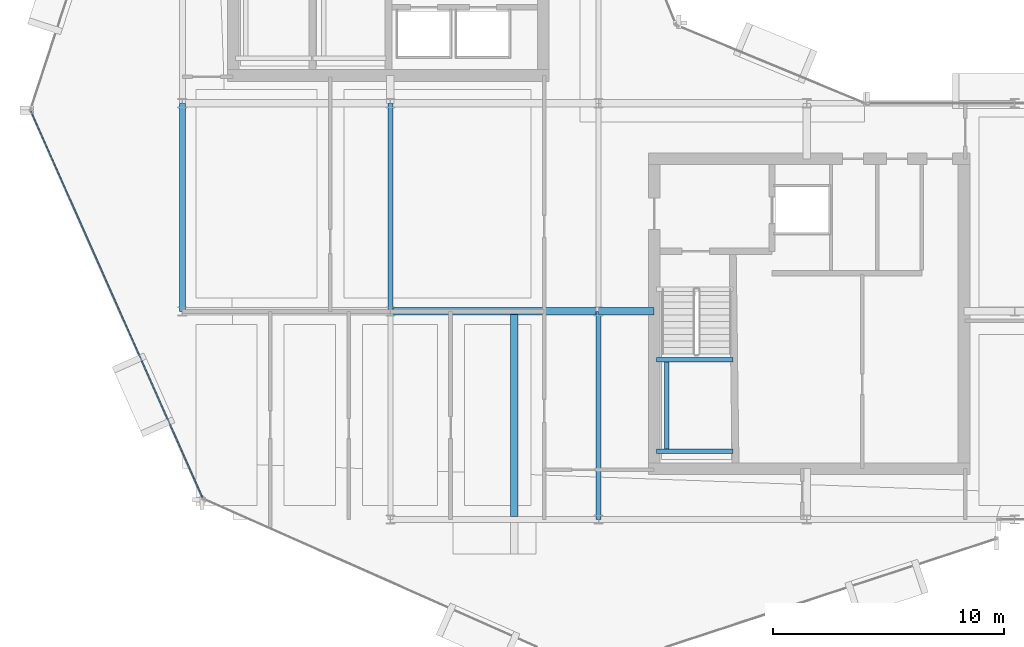
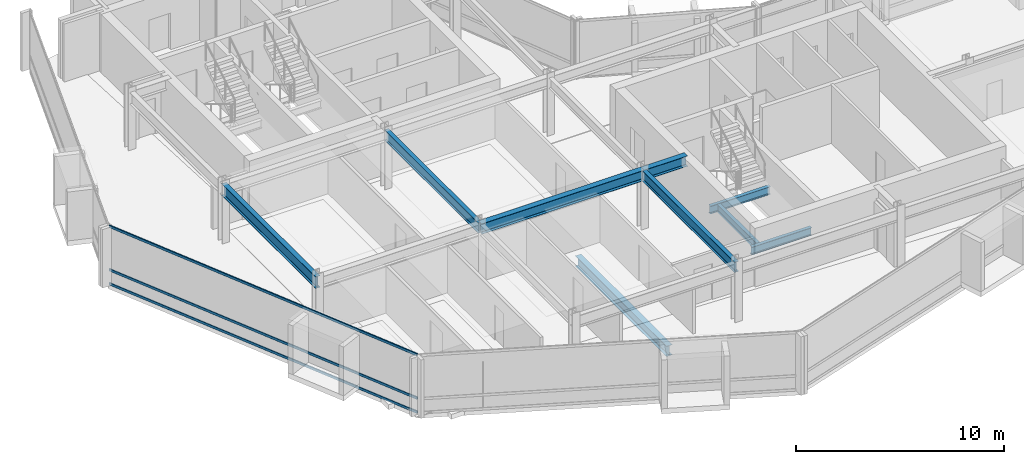
# One storey, part 5 of 27: 9 beams, 3 members, 1 element without a shape of its own.
"""IFC4 building model written with IfcOpenShell, lengths in metres."""

from ifc_helpers import new_model, si_unit, direction, frame, origin, origin_2d, place, context, subcontext, project, spatial, hollow_rectangle, i_section, extrude, material, layer, layer_set, material_profile, profile_set, type_object, element, aggregate, save


model = new_model("IFC4")

# Units and contexts
model_context = context("Model", 3, precision=1e-05, world=origin(), true_north=direction((0.0, 1.0)))
body_context = subcontext(model_context, "Body", "Model", "MODEL_VIEW")
ifc_project = project(units=[si_unit("LENGTHUNIT", "METRE"), si_unit("AREAUNIT", "SQUARE_METRE"), si_unit("VOLUMEUNIT", "CUBIC_METRE"), si_unit("PLANEANGLEUNIT", "RADIAN"), si_unit("MASSUNIT", "GRAM", prefix="KILO")], contexts=[model_context])

# Site, building, storey
site_placement = place(None, origin())
site = spatial("IfcSite", under=ifc_project, at=site_placement, CompositionType="ELEMENT")
building_placement = place(site_placement, origin())
building = spatial("IfcBuilding", under=site, at=building_placement, Name="Solvaryn Broadcast Tower", CompositionType="ELEMENT")
storey_placement = place(building_placement, frame((0.0, 0.0, 221.0)))
storey = spatial("IfcBuildingStorey", under=building, at=storey_placement, Name="L55", CompositionType="ELEMENT", Elevation=221.0)

# Beams
ifc_material_1 = material(Name="Steel ASTM A992 Grade 50", Category="steel")
ifc_material_profile_1 = material_profile(ifc_material_1, i_section(OverallWidth=0.323974609375, OverallDepth=0.611083984375, WebThickness=0.0126953125, FlangeThickness=0.01904296875, FilletRadius=0.014892578125, at=origin_2d()))
ifc_profile_set_1 = profile_set([ifc_material_profile_1], Name="Steel ASTM A992 Grade 50")
beam_type_1 = type_object("IfcBeamType", Name="BM-B1-W24X104", PredefinedType="BEAM", material=ifc_profile_set_1)
beam_1_placement = place(storey_placement, frame((23.35009765625, 17.875, -0.58544921875), z_axis=(0.0, -1.0, 0.0), x_axis=(1.0, 0.0, 0.0)))
element("IfcBeam", 1, at=beam_1_placement, inside=storey, type_object=beam_type_1, Name="L55 Bay-Box Back-Span Beam 1", PredefinedType="BEAM", context=body_context, shape_type="SweptSolid", body=[
    extrude(i_section(OverallWidth=0.323974609375, OverallDepth=0.611083984375, WebThickness=0.0126953125, FlangeThickness=0.01904296875, FilletRadius=0.014892578125, at=origin_2d()), origin(), (0.0, 0.0, 1.0), 8.75),
])
beam_2_placement = place(storey_placement, frame((18.0, 18.0, 3.114501953125), z_axis=(1.0, 0.0, 0.0), x_axis=(0.0, 1.0, 0.0)))
element("IfcBeam", 2, at=beam_2_placement, inside=storey, type_object=beam_type_1, Name="L55 Primary Beam X (18-27 @ Y=18)", PredefinedType="BEAM", context=body_context, shape_type="SweptSolid", body=[
    extrude(i_section(OverallWidth=0.323974609375, OverallDepth=0.611083984375, WebThickness=0.0126953125, FlangeThickness=0.01904296875, FilletRadius=0.014892578125, at=origin_2d()), origin(), (0.0, 0.0, 1.0), 9.0),
])
beam_3_placement = place(storey_placement, frame((27.0, 18.0, 3.114501953125), z_axis=(1.0, 0.0, 0.0), x_axis=(0.0, 1.0, 0.0)))
element("IfcBeam", 3, at=beam_3_placement, inside=storey, type_object=beam_type_1, Name="L55 Core Tie Beam CTE4", PredefinedType="BEAM", context=body_context, shape_type="SweptSolid", body=[
    extrude(i_section(OverallWidth=0.323974609375, OverallDepth=0.611083984375, WebThickness=0.0126953125, FlangeThickness=0.01904296875, FilletRadius=0.014892578125, at=origin_2d()), origin(), (0.0, 0.0, 1.0), 2.39990234375),
])
ifc_material_2 = material(Name="Steel ASTM A992 Grade 50", Category="steel")
ifc_material_profile_2 = material_profile(ifc_material_2, i_section(OverallWidth=0.22802734375, OverallDepth=0.60791015625, WebThickness=0.01123046875, FlangeThickness=0.017333984375, FilletRadius=0.014892578125, at=origin_2d()))
ifc_profile_set_2 = profile_set([ifc_material_profile_2], Name="Steel ASTM A992 Grade 50")
beam_type_2 = type_object("IfcBeamType", Name="BM-B2-W24X76", PredefinedType="BEAM", material=ifc_profile_set_2)
for number, where, z_axis, x_axis, name in (
    (4, (18.0, 18.0, 3.115966796875), (0.0, 1.0, 0.0), (-1.0, 0.0, 0.0), "L55 Primary Beam Y (18-27 @ X=18)"),
    (5, (27.0, 9.0, 3.115966796875), (0.0, 1.0, 0.0), (-1.0, 0.0, 0.0), "L55 Primary Beam Y (9-18 @ X=27)"),
):
    element("IfcBeam", number, at=place(storey_placement, frame(where, z_axis=z_axis, x_axis=x_axis)), inside=storey, type_object=beam_type_2, Name=name, PredefinedType="BEAM", context=body_context, shape_type="SweptSolid", body=[
        extrude(i_section(OverallWidth=0.22802734375, OverallDepth=0.60791015625, WebThickness=0.01123046875, FlangeThickness=0.017333984375, FilletRadius=0.014892578125, at=origin_2d()), origin(), (0.0, 0.0, 1.0), 9.0),
    ])
ifc_material_3 = material(Name="Steel ASTM A992 Grade 50", Category="steel")
ifc_material_profile_3 = material_profile(ifc_material_3, i_section(OverallWidth=0.18994140625, OverallDepth=0.45703125, WebThickness=0.009033203125, FlangeThickness=0.014404296875, FilletRadius=0.011962890625, at=origin_2d()))
ifc_profile_set_3 = profile_set([ifc_material_profile_3], Name="Steel ASTM A992 Grade 50")
beam_type_3 = type_object("IfcBeamType", Name="BM-B4-W18X50", PredefinedType="BEAM", material=ifc_profile_set_3)
for number, where, z_axis, x_axis, name in (
    (6, (29.5, 11.949951171875, 1.42138671875), (1.0, 0.0, 0.0), (0.0, 1.0, 0.0), "L55 ST3 Landing Support Beam 1A"),
    (7, (29.5, 15.909912109375, 1.42138671875), (1.0, 0.0, 0.0), (0.0, 1.0, 0.0), "L55 ST3 Landing Support Beam 1B"),
):
    element("IfcBeam", number, at=place(storey_placement, frame(where, z_axis=z_axis, x_axis=x_axis)), inside=storey, type_object=beam_type_3, Name=name, PredefinedType="BEAM", context=body_context, shape_type="SweptSolid", body=[
        extrude(i_section(OverallWidth=0.18994140625, OverallDepth=0.45703125, WebThickness=0.009033203125, FlangeThickness=0.014404296875, FilletRadius=0.011962890625, at=origin_2d()), origin(), (0.0, 0.0, 1.0), 3.320068359375),
    ])
beam_4_placement = place(storey_placement, frame((29.949951171875, 11.949951171875, 1.42138671875), z_axis=(0.0, 1.0, 0.0), x_axis=(-1.0, 0.0, 0.0)))
element("IfcBeam", 8, at=beam_4_placement, inside=storey, type_object=beam_type_3, Name="L55 ST3 Landing Cross Stringer 1C", PredefinedType="BEAM", context=body_context, shape_type="SweptSolid", body=[
    extrude(i_section(OverallWidth=0.18994140625, OverallDepth=0.45703125, WebThickness=0.009033203125, FlangeThickness=0.014404296875, FilletRadius=0.011962890625, at=origin_2d()), origin(), (0.0, 0.0, 1.0), 3.9599609375),
])
ifc_material_4 = material(Name="Steel ASTM A992 Grade 50", Category="steel")
ifc_material_profile_4 = material_profile(ifc_material_4, i_section(OverallWidth=0.256103515625, OverallDepth=0.693115234375, WebThickness=0.014404296875, FlangeThickness=0.023681640625, FilletRadius=0.01611328125, at=origin_2d()))
ifc_profile_set_4 = profile_set([ifc_material_profile_4], Name="Steel ASTM A992 Grade 50")
beam_type_4 = type_object("IfcBeamType", Name="BM-SP3-W27X114", PredefinedType="USERDEFINED", material=ifc_profile_set_4)
beam_5_placement = place(storey_placement, frame((9.0, 18.0, 3.073486328125), z_axis=(0.0, 1.0, 0.0), x_axis=(-1.0, 0.0, 0.0)))
element("IfcBeam", 9, at=beam_5_placement, inside=storey, type_object=beam_type_4, Name="L55 Spandrel Beam Y (18-27 @ X=9)", ObjectType="SPANDREL", PredefinedType="USERDEFINED", context=body_context, shape_type="SweptSolid", body=[
    extrude(i_section(OverallWidth=0.256103515625, OverallDepth=0.693115234375, WebThickness=0.014404296875, FlangeThickness=0.023681640625, FilletRadius=0.01611328125, at=origin_2d()), origin(), (0.0, 0.0, 1.0), 9.0),
])

# Curtain wall, members
ifc_material_5 = material(Name="Aluminium and Terracotta Unitised Curtain Wall", Category="masonry")
ifc_layer = layer(ifc_material_5, 0.239990234375)
ifc_layer_set = layer_set([ifc_layer], Name="CW-SYS3-BAYBOX")
curtain_wall_type = type_object("IfcCurtainWallType", Name="CW-SYS3-BAYBOX", PredefinedType="NOTDEFINED", material=ifc_layer_set)
curtain_wall_placement = place(storey_placement, origin())
curtain_wall = element("IfcCurtainWall", 10, at=curtain_wall_placement, inside=storey, type_object=curtain_wall_type, Name="L55 Curtain Wall DR2", PredefinedType="NOTDEFINED")
ifc_material_6 = material(Name="Anodised Aluminium 6063-T6", Category="aluminium")
ifc_material_profile_5 = material_profile(ifc_material_6, hollow_rectangle(XDim=0.06494140625, YDim=0.14990234375, WallThickness=0.00390625, InnerFilletRadius=0.00390625, OuterFilletRadius=0.008056640625, at=origin_2d()))
ifc_profile_set_5 = profile_set([ifc_material_profile_5], Name="Anodised Aluminium 6063-T6")
member_type = type_object("IfcMemberType", Name="CW-TRN-150", PredefinedType="USERDEFINED", material=ifc_profile_set_5)
member_1_placement = place(storey_placement, frame((2.457275390625, 26.651123046875, 0.030029296875), z_axis=(0.405901653299, -0.913916761992, 0.0), x_axis=(0.913916761992, 0.405901653299, 0.0)))
member_1 = element("IfcMember", 11, at=member_1_placement, type_object=member_type, Name="CWS3 transom 1.1", ObjectType="TRANSOM", PredefinedType="USERDEFINED", context=body_context, shape_type="SweptSolid", body=[
    extrude(hollow_rectangle(XDim=0.06494140625, YDim=0.14990234375, WallThickness=0.00390625, InnerFilletRadius=0.00390625, OuterFilletRadius=0.008056640625, at=origin_2d()), origin(), (0.0, 0.0, 1.0), 18.27099609375),
])
member_2_placement = place(storey_placement, frame((2.457275390625, 26.651123046875, 0.85009765625), z_axis=(0.405901653299, -0.913916761992, 0.0), x_axis=(0.913916761992, 0.405901653299, 0.0)))
member_2 = element("IfcMember", 12, at=member_2_placement, type_object=member_type, Name="CWS3 transom 1.2", ObjectType="TRANSOM", PredefinedType="USERDEFINED", context=body_context, shape_type="SweptSolid", body=[
    extrude(hollow_rectangle(XDim=0.06494140625, YDim=0.14990234375, WallThickness=0.00390625, InnerFilletRadius=0.00390625, OuterFilletRadius=0.008056640625, at=origin_2d()), origin(), (0.0, 0.0, 1.0), 18.27099609375),
])
member_3_placement = place(storey_placement, frame((2.457275390625, 26.651123046875, 3.389892578125), z_axis=(0.405901653299, -0.913916761992, 0.0), x_axis=(0.913916761992, 0.405901653299, 0.0)))
member_3 = element("IfcMember", 13, at=member_3_placement, type_object=member_type, Name="CWS3 transom 1.3", ObjectType="TRANSOM", PredefinedType="USERDEFINED", context=body_context, shape_type="SweptSolid", body=[
    extrude(hollow_rectangle(XDim=0.06494140625, YDim=0.14990234375, WallThickness=0.00390625, InnerFilletRadius=0.00390625, OuterFilletRadius=0.008056640625, at=origin_2d()), origin(), (0.0, 0.0, 1.0), 18.27099609375),
])
aggregate(curtain_wall, [member_1, member_2, member_3])

save(model, "model.ifc")
